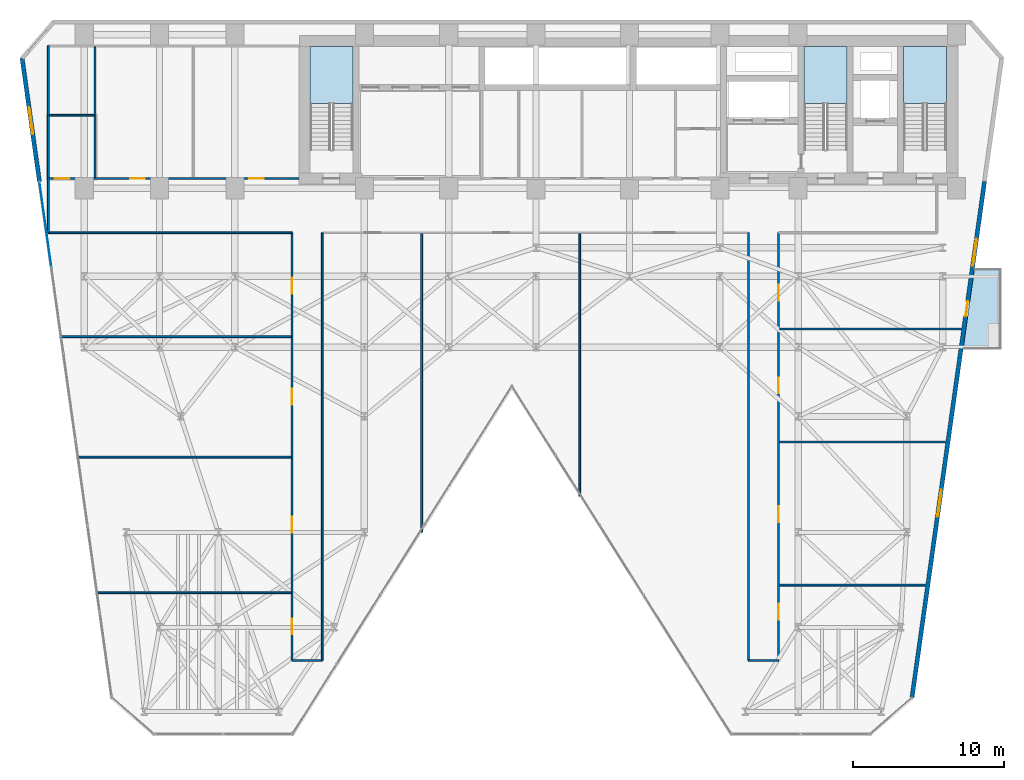
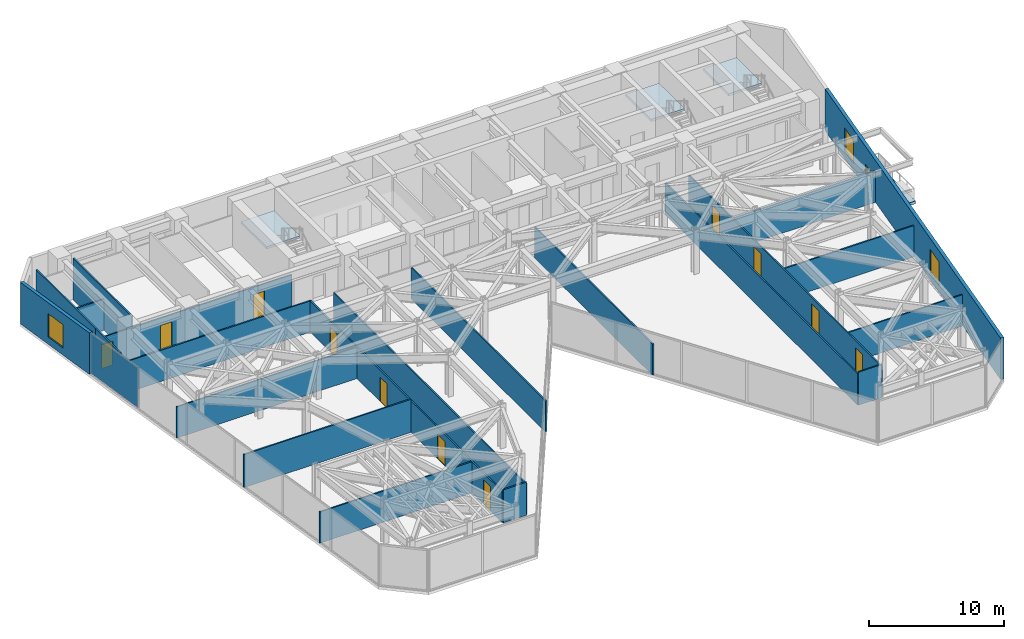
# One storey, part 19 of 24: 22 walls, 12 doors, 4 slabs, 3 windows, 1 plate, 15 openings, 4 elements without a shape of their own.
"""IFC4 building model written with IfcOpenShell, lengths in metres."""

from ifc_helpers import new_model, si_unit, direction, frame, frame_2d, origin, origin_2d, place, context, subcontext, project, spatial, polyline, rectangle, outline, extrude, material, layer, layer_set, type_object, element, fill, aggregate, save


model = new_model("IFC4")

# Units and contexts
model_context = context("Model", 3, precision=1e-05, world=origin(), true_north=direction((0.0, 1.0)))
body_context = subcontext(model_context, "Body", "Model", "MODEL_VIEW")
ifc_project = project(units=[si_unit("LENGTHUNIT", "METRE"), si_unit("AREAUNIT", "SQUARE_METRE"), si_unit("VOLUMEUNIT", "CUBIC_METRE"), si_unit("PLANEANGLEUNIT", "RADIAN"), si_unit("MASSUNIT", "GRAM", prefix="KILO")], contexts=[model_context])

# Site, building, storey
site_placement = place(None, origin())
site = spatial("IfcSite", under=ifc_project, at=site_placement, CompositionType="ELEMENT")
building_placement = place(site_placement, origin())
building = spatial("IfcBuilding", under=site, at=building_placement, Name="Kravanh Interchange Tower", CompositionType="ELEMENT")
storey_placement = place(building_placement, frame((0.0, 0.0, 77.5)))
storey = spatial("IfcBuildingStorey", under=building, at=storey_placement, Name="L18", CompositionType="ELEMENT", Elevation=77.5)

# Stair, slab
ifc_material_1 = material(Name="Concrete C50/60", Category="concrete")
stair_type = type_object("IfcStairType", Name="Core Fire Exit Dogleg Stair Concrete C50/60", PredefinedType="HALF_TURN_STAIR", material=ifc_material_1)
stair_1_placement = place(storey_placement, origin())
stair_1 = element("IfcStair", 1, at=stair_1_placement, inside=storey, type_object=stair_type, Name="L18 Exit Stair ST1", PredefinedType="HALF_TURN_STAIR")
ifc_material_2 = material(Name="Concrete C50/60", Category="concrete")
ifc_layer_1 = layer(ifc_material_2, 0.199951171875)
ifc_layer_set_1 = layer_set([ifc_layer_1], Name="Concrete C50/60 Stair Half-Landing Slab 200mm")
slab_type_1 = type_object("IfcSlabType", Name="Concrete C50/60 Stair Half-Landing Slab 200mm", PredefinedType="LANDING", material=ifc_layer_set_1)
slab_1_placement = place(storey_placement, frame((0.0, 0.0, 1.800048828125)))
slab_1 = element("IfcSlab", 2, at=slab_1_placement, type_object=slab_type_1, Name="ST1 landing 1", PredefinedType="LANDING", context=body_context, shape_type="SweptSolid", body=[
    extrude(outline(polyline([(65.85009765625, 42.97998046875), (65.85009765625, 46.75), (63.0, 46.75), (63.0, 42.97998046875), (65.85009765625, 42.97998046875)])), origin(), (0.0, 0.0, 1.0), 0.199951171875),
])
aggregate(stair_1, [slab_1])

stair_2_placement = place(storey_placement, origin())
stair_2 = element("IfcStair", 3, at=stair_2_placement, inside=storey, type_object=stair_type, Name="L18 Exit Stair ST2", PredefinedType="HALF_TURN_STAIR")
slab_2_placement = place(storey_placement, frame((0.0, 0.0, 1.800048828125)))
slab_2 = element("IfcSlab", 4, at=slab_2_placement, type_object=slab_type_1, Name="ST2 landing 1", PredefinedType="LANDING", context=body_context, shape_type="SweptSolid", body=[
    extrude(outline(polyline([(59.25, 42.97998046875), (59.25, 46.75), (56.39990234375, 46.75), (56.39990234375, 42.97998046875), (59.25, 42.97998046875)])), origin(), (0.0, 0.0, 1.0), 0.199951171875),
])
aggregate(stair_2, [slab_2])

stair_3_placement = place(storey_placement, origin())
stair_3 = element("IfcStair", 5, at=stair_3_placement, inside=storey, type_object=stair_type, Name="L18 Exit Stair ST3", PredefinedType="HALF_TURN_STAIR")
slab_3_placement = place(storey_placement, frame((0.0, 0.0, 1.800048828125)))
slab_3 = element("IfcSlab", 6, at=slab_3_placement, type_object=slab_type_1, Name="ST3 landing 1", PredefinedType="LANDING", context=body_context, shape_type="SweptSolid", body=[
    extrude(outline(polyline([(26.449951171875, 42.97998046875), (26.449951171875, 46.75), (23.60009765625, 46.75), (23.60009765625, 42.97998046875), (26.449951171875, 42.97998046875)])), origin(), (0.0, 0.0, 1.0), 0.199951171875),
])
aggregate(stair_3, [slab_3])

# Slab
ifc_material_3 = material(Name="Concrete C50/60", Category="concrete")
ifc_layer_2 = layer(ifc_material_3, 0.199951171875)
ifc_layer_set_2 = layer_set([ifc_layer_2], Name="Planted Tree Balcony Slab Concrete C50/60 200mm")
slab_type_2 = type_object("IfcSlabType", Name="Planted Tree Balcony Slab Concrete C50/60 200mm", PredefinedType="USERDEFINED", material=ifc_layer_set_2)
slab_4_placement = place(storey_placement, frame((0.0, 0.0, -0.260009765625)))
element("IfcSlab", 7, at=slab_4_placement, inside=storey, type_object=slab_type_2, Name="L18 East Tree Planter Balcony Slab", ObjectType="BALCONY", PredefinedType="USERDEFINED", context=body_context, shape_type="SweptSolid", body=[
    extrude(outline(polyline([(69.489990234375, 32.030029296875), (69.489990234375, 26.6298828125), (66.94140625, 26.6298828125), (67.700439453125, 32.030029296875), (69.489990234375, 32.030029296875)])), origin(), (0.0, 0.0, 1.0), 0.260009765625),
])

# Curtain wall, plate
ifc_material_4 = material(Name="Anodised Bronze Aluminium", Category="aluminium")
ifc_layer_3 = layer(ifc_material_4, 0.179931640625)
ifc_layer_set_3 = layer_set([ifc_layer_3], Name="Unitised Curtain Wall System CW-Z1 Lower Office")
curtain_wall_type = type_object("IfcCurtainWallType", Name="Unitised Curtain Wall System CW-Z1 Lower Office", PredefinedType="NOTDEFINED", material=ifc_layer_set_3)
curtain_wall_placement = place(storey_placement, origin())
curtain_wall = element("IfcCurtainWall", 8, at=curtain_wall_placement, inside=storey, type_object=curtain_wall_type, Name="L18 Unitised Curtain Wall CW-L18-01", PredefinedType="NOTDEFINED")
ifc_material_5 = material(Name="Low-E Laminated Architectural Glass", Category="glass")
ifc_layer_4 = layer(ifc_material_5, 0.028076171875)
ifc_layer_set_4 = layer_set([ifc_layer_4], Name="Solar-Control Double Glazing 28mm")
plate_type = type_object("IfcPlateType", Name="Solar-Control Double Glazing 28mm", PredefinedType="CURTAIN_PANEL", material=ifc_layer_set_4)
plate_placement = place(storey_placement, frame((6.028564453125, 34.927490234375, 0.06005859375), z_axis=(0.0, 0.0, 1.0), x_axis=(-0.139176538065, 0.990267585682, 0.0)))
plate = element("IfcPlate", 9, at=plate_placement, type_object=plate_type, Name="CW-Z1 panel 6.1", PredefinedType="CURTAIN_PANEL", context=body_context, shape_type="SweptSolid", body=[
    extrude(rectangle(XDim=5.66162109375, YDim=0.028076171875, at=origin_2d()), origin(), (0.0, 0.0, 1.0), 3.6201171875),
])
aggregate(curtain_wall, [plate])

# Wall, openings, doors
ifc_material_6 = material(Name="Double Acoustic Gypsum Board and Mineral Wool")
ifc_layer_5 = layer(ifc_material_6, 0.1201171875)
ifc_layer_set_5 = layer_set([ifc_layer_5], Name="Acoustic Office Drywall Partition 120mm")
wall_type_1 = type_object("IfcWallType", Name="Acoustic Office Drywall Partition 120mm", PredefinedType="PARTITIONING", material=ifc_layer_set_5)
wall_1_placement = place(storey_placement, frame((6.219970703125, 38.0, 0.0), z_axis=(0.0, 0.0, 1.0), x_axis=(1.0, 0.0, 0.0)))
wall_1 = element("IfcWall", 10, at=wall_1_placement, inside=storey, type_object=wall_type_1, Name="L18 Restroom Corridor Wall 9", PredefinedType="PARTITIONING", context=body_context, shape_type="SweptSolid", body=[
    extrude(rectangle(XDim=16.630126953125, YDim=0.1201171875, at=frame_2d((8.31494140625, 0.0))), origin(), (0.0, 0.0, 1.0), 2.81298828125),
])
opening_1_placement = place(wall_1_placement, frame((0.424072265625, 0.0, 0.0)))
opening_1 = element("IfcOpeningElement", 11, at=opening_1_placement, cuts=wall_1, Name="Opening D-95", PredefinedType="OPENING", context=body_context, shape_type="SweptSolid", body=[
    extrude(rectangle(XDim=0.949951171875, YDim=2.14990234375, at=frame_2d((0.47509765625, 1.074951171875))), frame((0.0, 0.070068359375, 0.0), z_axis=(0.0, -1.0, 0.0), x_axis=(1.0, 0.0, 0.0)), (0.0, 0.0, 1.0), 0.14013671875),
])
opening_2_placement = place(wall_1_placement, frame((5.444091796875, 0.0, 0.0)))
opening_2 = element("IfcOpeningElement", 12, at=opening_2_placement, cuts=wall_1, Name="Opening D-95", PredefinedType="OPENING", context=body_context, shape_type="SweptSolid", body=[
    extrude(rectangle(XDim=0.949951171875, YDim=2.14990234375, at=frame_2d((0.47509765625, 1.074951171875))), frame((0.0, 0.070068359375, 0.0), z_axis=(0.0, -1.0, 0.0), x_axis=(1.0, 0.0, 0.0)), (0.0, 0.0, 1.0), 0.14013671875),
])
opening_3_placement = place(wall_1_placement, frame((13.343994140625, 0.0, 0.0)))
opening_3 = element("IfcOpeningElement", 13, at=opening_3_placement, cuts=wall_1, Name="Opening D-95", PredefinedType="OPENING", context=body_context, shape_type="SweptSolid", body=[
    extrude(rectangle(XDim=0.949951171875, YDim=2.14990234375, at=frame_2d((0.47509765625, 1.074951171875))), frame((0.0, 0.070068359375, 0.0), z_axis=(0.0, -1.0, 0.0), x_axis=(1.0, 0.0, 0.0)), (0.0, 0.0, 1.0), 0.14013671875),
])
ifc_material_7 = material(Name="Laminate Solid-Core Timber", Category="wood")
door_type_1 = type_object("IfcDoorType", Name="Accessible Restroom Door 950x2150", OperationType="NOTDEFINED", PredefinedType="DOOR", material=ifc_material_7)
door_1_placement = place(opening_1_placement, origin())
door_1 = element("IfcDoor", 14, at=door_1_placement, inside=storey, type_object=door_type_1, Name="L18 Accessible WC Door", OperationType="SINGLE_SWING_RIGHT", OverallHeight=2.14990234375, OverallWidth=0.949951171875, PredefinedType="DOOR", context=body_context, shape_type="SweptSolid", body=[
    extrude(rectangle(XDim=0.949951171875, YDim=2.14990234375, at=frame_2d((0.47509765625, 1.074951171875))), frame((0.0, 0.02490234375, 0.0), z_axis=(0.0, -1.0, 0.0), x_axis=(1.0, 0.0, 0.0)), (0.0, 0.0, 1.0), 0.050048828125),
])
fill(opening_1, door_1)
door_2_placement = place(opening_2_placement, origin())
door_2 = element("IfcDoor", 15, at=door_2_placement, inside=storey, type_object=door_type_1, Name="L18 Female WC Door", OperationType="SINGLE_SWING_LEFT", OverallHeight=2.14990234375, OverallWidth=0.949951171875, PredefinedType="DOOR", context=body_context, shape_type="SweptSolid", body=[
    extrude(rectangle(XDim=0.949951171875, YDim=2.14990234375, at=frame_2d((0.47509765625, 1.074951171875))), frame((0.0, 0.02490234375, 0.0), z_axis=(0.0, -1.0, 0.0), x_axis=(1.0, 0.0, 0.0)), (0.0, 0.0, 1.0), 0.050048828125),
])
fill(opening_2, door_2)
door_3_placement = place(opening_3_placement, origin())
door_3 = element("IfcDoor", 16, at=door_3_placement, inside=storey, type_object=door_type_1, Name="L18 Male WC Door", OperationType="SINGLE_SWING_RIGHT", OverallHeight=2.14990234375, OverallWidth=0.949951171875, PredefinedType="DOOR", context=body_context, shape_type="SweptSolid", body=[
    extrude(rectangle(XDim=0.949951171875, YDim=2.14990234375, at=frame_2d((0.47509765625, 1.074951171875))), frame((0.0, 0.02490234375, 0.0), z_axis=(0.0, -1.0, 0.0), x_axis=(1.0, 0.0, 0.0)), (0.0, 0.0, 1.0), 0.050048828125),
])
fill(opening_3, door_3)

# Walls
wall_2_placement = place(storey_placement, frame((6.219970703125, 38.0, 0.0), z_axis=(0.0, 0.0, 1.0), x_axis=(0.0, 1.0, 0.0)))
element("IfcWall", 17, at=wall_2_placement, inside=storey, type_object=wall_type_1, Name="L18 Restroom West Enclosure 10", PredefinedType="PARTITIONING", context=body_context, shape_type="SweptSolid", body=[
    extrude(rectangle(XDim=8.800048828125, YDim=0.1201171875, at=frame_2d((4.39990234375, 0.0))), origin(), (0.0, 0.0, 1.0), 3.739990234375),
])
wall_3_placement = place(storey_placement, frame((9.320068359375, 38.068115234375, 0.0), z_axis=(0.0, 0.0, 1.0), x_axis=(0.0, 1.0, 0.0)))
element("IfcWall", 18, at=wall_3_placement, inside=storey, type_object=wall_type_1, Name="L18 Interior Partition 12", PredefinedType="PARTITIONING", context=body_context, shape_type="SweptSolid", body=[
    extrude(rectangle(XDim=8.663818359375, YDim=0.1201171875, at=frame_2d((4.33203125, 0.0))), origin(), (0.0, 0.0, 1.0), 3.739990234375),
])
wall_4_placement = place(storey_placement, frame((6.2880859375, 42.199951171875, 0.0), z_axis=(0.0, 0.0, 1.0), x_axis=(1.0, 0.0, 0.0)))
element("IfcWall", 19, at=wall_4_placement, inside=storey, type_object=wall_type_1, Name="L18 Interior Partition 14", PredefinedType="PARTITIONING", context=body_context, shape_type="SweptSolid", body=[
    extrude(rectangle(XDim=2.9638671875, YDim=0.1201171875, at=frame_2d((1.48193359375, 0.0))), origin(), (0.0, 0.0, 1.0), 2.81298828125),
])
wall_5_placement = place(storey_placement, frame((6.219970703125, 34.39990234375, 0.0), z_axis=(0.0, 0.0, 1.0), x_axis=(1.0, 0.0, 0.0)))
element("IfcWall", 20, at=wall_5_placement, inside=storey, type_object=wall_type_1, Name="L18 Interior Partition 15", PredefinedType="PARTITIONING", context=body_context, shape_type="SweptSolid", body=[
    extrude(rectangle(XDim=16.179931640625, YDim=0.1201171875, at=frame_2d((8.08984375, 0.0))), origin(), (0.0, 0.0, 1.0), 2.81298828125),
])
wall_6_placement = place(storey_placement, frame((6.219970703125, 34.39990234375, 0.0), z_axis=(0.0, 0.0, 1.0), x_axis=(0.0, 1.0, 0.0)))
element("IfcWall", 21, at=wall_6_placement, inside=storey, type_object=wall_type_1, Name="L18 Interior Partition 18", PredefinedType="PARTITIONING", context=body_context, shape_type="SweptSolid", body=[
    extrude(rectangle(XDim=3.650146484375, YDim=0.1201171875, at=frame_2d((1.8251953125, 0.0))), origin(), (0.0, 0.0, 1.0), 3.739990234375),
])

# Wall, openings, doors
wall_7_placement = place(storey_placement, frame((22.39990234375, 6.0, 0.0), z_axis=(0.0, 0.0, 1.0), x_axis=(0.0, 1.0, 0.0)))
wall_7 = element("IfcWall", 22, at=wall_7_placement, inside=storey, type_object=wall_type_1, Name="L18 Interior Partition 20", PredefinedType="PARTITIONING", context=body_context, shape_type="SweptSolid", body=[
    extrude(rectangle(XDim=28.39990234375, YDim=0.1201171875, at=frame_2d((14.199951171875, 0.0))), origin(), (0.0, 0.0, 1.0), 2.81298828125),
])
opening_4_placement = place(wall_7_placement, frame((1.72509765625, 0.0, 0.0)))
opening_4 = element("IfcOpeningElement", 23, at=opening_4_placement, cuts=wall_7, Name="Opening D-105", PredefinedType="OPENING", context=body_context, shape_type="SweptSolid", body=[
    extrude(rectangle(XDim=1.050048828125, YDim=2.199951171875, at=frame_2d((0.52490234375, 1.10009765625))), frame((0.0, 0.070068359375, 0.0), z_axis=(0.0, -1.0, 0.0), x_axis=(1.0, 0.0, 0.0)), (0.0, 0.0, 1.0), 0.14013671875),
])
opening_5_placement = place(wall_7_placement, frame((8.47509765625, 0.0, 0.0)))
opening_5 = element("IfcOpeningElement", 24, at=opening_5_placement, cuts=wall_7, Name="Opening D-105", PredefinedType="OPENING", context=body_context, shape_type="SweptSolid", body=[
    extrude(rectangle(XDim=1.050048828125, YDim=2.199951171875, at=frame_2d((0.52490234375, 1.10009765625))), frame((0.0, 0.070068359375, 0.0), z_axis=(0.0, -1.0, 0.0), x_axis=(1.0, 0.0, 0.0)), (0.0, 0.0, 1.0), 0.14013671875),
])
opening_6_placement = place(wall_7_placement, frame((16.97509765625, 0.0, 0.0)))
opening_6 = element("IfcOpeningElement", 25, at=opening_6_placement, cuts=wall_7, Name="Opening D-105", PredefinedType="OPENING", context=body_context, shape_type="SweptSolid", body=[
    extrude(rectangle(XDim=1.050048828125, YDim=2.199951171875, at=frame_2d((0.52490234375, 1.10009765625))), frame((0.0, 0.070068359375, 0.0), z_axis=(0.0, -1.0, 0.0), x_axis=(1.0, 0.0, 0.0)), (0.0, 0.0, 1.0), 0.14013671875),
])
opening_7_placement = place(wall_7_placement, frame((24.359375, 0.0, 0.0)))
opening_7 = element("IfcOpeningElement", 26, at=opening_7_placement, cuts=wall_7, Name="Opening D-105", PredefinedType="OPENING", context=body_context, shape_type="SweptSolid", body=[
    extrude(rectangle(XDim=1.050048828125, YDim=2.199951171875, at=frame_2d((0.52490234375, 1.10009765625))), frame((0.0, 0.070068359375, 0.0), z_axis=(0.0, -1.0, 0.0), x_axis=(1.0, 0.0, 0.0)), (0.0, 0.0, 1.0), 0.14013671875),
])
ifc_material_8 = material(Name="Acoustic Glazed Oak and Aluminium", Category="aluminium")
door_type_2 = type_object("IfcDoorType", Name="Office Workplace Door 1050x2200", OperationType="NOTDEFINED", PredefinedType="DOOR", material=ifc_material_8)
door_4_placement = place(opening_4_placement, origin())
door_4 = element("IfcDoor", 27, at=door_4_placement, inside=storey, type_object=door_type_2, Name="L18 Venture Office A Door", OperationType="SINGLE_SWING_LEFT", OverallHeight=2.199951171875, OverallWidth=1.050048828125, PredefinedType="DOOR", context=body_context, shape_type="SweptSolid", body=[
    extrude(rectangle(XDim=1.050048828125, YDim=2.199951171875, at=frame_2d((0.52490234375, 1.10009765625))), frame((0.0, 0.02490234375, 0.0), z_axis=(0.0, -1.0, 0.0), x_axis=(1.0, 0.0, 0.0)), (0.0, 0.0, 1.0), 0.050048828125),
])
fill(opening_4, door_4)
door_5_placement = place(opening_5_placement, origin())
door_5 = element("IfcDoor", 28, at=door_5_placement, inside=storey, type_object=door_type_2, Name="L18 West Balcony Lounge Door", OperationType="SINGLE_SWING_RIGHT", OverallHeight=2.199951171875, OverallWidth=1.050048828125, PredefinedType="DOOR", context=body_context, shape_type="SweptSolid", body=[
    extrude(rectangle(XDim=1.050048828125, YDim=2.199951171875, at=frame_2d((0.52490234375, 1.10009765625))), frame((0.0, 0.02490234375, 0.0), z_axis=(0.0, -1.0, 0.0), x_axis=(1.0, 0.0, 0.0)), (0.0, 0.0, 1.0), 0.050048828125),
])
fill(opening_5, door_5)
door_6_placement = place(opening_6_placement, origin())
door_6 = element("IfcDoor", 29, at=door_6_placement, inside=storey, type_object=door_type_2, Name="L18 Quantitative Study A Door", OperationType="SINGLE_SWING_LEFT", OverallHeight=2.199951171875, OverallWidth=1.050048828125, PredefinedType="DOOR", context=body_context, shape_type="SweptSolid", body=[
    extrude(rectangle(XDim=1.050048828125, YDim=2.199951171875, at=frame_2d((0.52490234375, 1.10009765625))), frame((0.0, 0.02490234375, 0.0), z_axis=(0.0, -1.0, 0.0), x_axis=(1.0, 0.0, 0.0)), (0.0, 0.0, 1.0), 0.050048828125),
])
fill(opening_6, door_6)
door_7_placement = place(opening_7_placement, origin())
door_7 = element("IfcDoor", 30, at=door_7_placement, inside=storey, type_object=door_type_2, Name="L18 Quantitative Study B Door", OperationType="SINGLE_SWING_RIGHT", OverallHeight=2.199951171875, OverallWidth=1.050048828125, PredefinedType="DOOR", context=body_context, shape_type="SweptSolid", body=[
    extrude(rectangle(XDim=1.050048828125, YDim=2.199951171875, at=frame_2d((0.52490234375, 1.10009765625))), frame((0.0, 0.02490234375, 0.0), z_axis=(0.0, -1.0, 0.0), x_axis=(1.0, 0.0, 0.0)), (0.0, 0.0, 1.0), 0.050048828125),
])
fill(opening_7, door_7)

# Walls
wall_8_placement = place(storey_placement, frame((24.39990234375, 6.0, 0.0), z_axis=(0.0, 0.0, 1.0), x_axis=(0.0, 1.0, 0.0)))
element("IfcWall", 31, at=wall_8_placement, inside=storey, type_object=wall_type_1, Name="L18 Interior Partition 21", PredefinedType="PARTITIONING", context=body_context, shape_type="SweptSolid", body=[
    extrude(rectangle(XDim=28.39990234375, YDim=0.1201171875, at=frame_2d((14.199951171875, 0.0))), origin(), (0.0, 0.0, 1.0), 2.81298828125),
])
wall_9_placement = place(storey_placement, frame((22.39990234375, 6.0, 0.0), z_axis=(0.0, 0.0, 1.0), x_axis=(1.0, 0.0, 0.0)))
element("IfcWall", 32, at=wall_9_placement, inside=storey, type_object=wall_type_1, Name="L18 Interior Partition 22", PredefinedType="PARTITIONING", context=body_context, shape_type="SweptSolid", body=[
    extrude(rectangle(XDim=2.0, YDim=0.1201171875, at=frame_2d((1.0, 0.0))), origin(), (0.0, 0.0, 1.0), 2.97802734375),
])
wall_10_placement = place(storey_placement, frame((52.699951171875, 6.0, 0.0), z_axis=(0.0, 0.0, 1.0), x_axis=(0.0, 1.0, 0.0)))
element("IfcWall", 33, at=wall_10_placement, inside=storey, type_object=wall_type_1, Name="L18 Interior Partition 23", PredefinedType="PARTITIONING", context=body_context, shape_type="SweptSolid", body=[
    extrude(rectangle(XDim=28.39990234375, YDim=0.1201171875, at=frame_2d((14.199951171875, 0.0))), origin(), (0.0, 0.0, 1.0), 2.81298828125),
])

# Wall, openings, doors
wall_11_placement = place(storey_placement, frame((54.699951171875, 6.0, 0.0), z_axis=(0.0, 0.0, 1.0), x_axis=(0.0, 1.0, 0.0)))
wall_11 = element("IfcWall", 34, at=wall_11_placement, inside=storey, type_object=wall_type_1, Name="L18 Interior Partition 24", PredefinedType="PARTITIONING", context=body_context, shape_type="SweptSolid", body=[
    extrude(rectangle(XDim=28.39990234375, YDim=0.1201171875, at=frame_2d((14.199951171875, 0.0))), origin(), (0.0, 0.0, 1.0), 2.81298828125),
])
opening_8_placement = place(wall_11_placement, frame((2.709228515625, 0.0, 0.0)))
opening_8 = element("IfcOpeningElement", 35, at=opening_8_placement, cuts=wall_11, Name="Opening D-105", PredefinedType="OPENING", context=body_context, shape_type="SweptSolid", body=[
    extrude(rectangle(XDim=1.050048828125, YDim=2.199951171875, at=frame_2d((0.52490234375, 1.10009765625))), frame((0.0, 0.070068359375, 0.0), z_axis=(0.0, -1.0, 0.0), x_axis=(1.0, 0.0, 0.0)), (0.0, 0.0, 1.0), 0.14013671875),
])
opening_9_placement = place(wall_11_placement, frame((9.18505859375, 0.0, 0.0)))
opening_9 = element("IfcOpeningElement", 36, at=opening_9_placement, cuts=wall_11, Name="Opening D-105", PredefinedType="OPENING", context=body_context, shape_type="SweptSolid", body=[
    extrude(rectangle(XDim=1.050048828125, YDim=2.199951171875, at=frame_2d((0.52490234375, 1.10009765625))), frame((0.0, 0.070068359375, 0.0), z_axis=(0.0, -1.0, 0.0), x_axis=(1.0, 0.0, 0.0)), (0.0, 0.0, 1.0), 0.14013671875),
])
opening_10_placement = place(wall_11_placement, frame((17.72509765625, 0.0, 0.0)))
opening_10 = element("IfcOpeningElement", 37, at=opening_10_placement, cuts=wall_11, Name="Opening D-105", PredefinedType="OPENING", context=body_context, shape_type="SweptSolid", body=[
    extrude(rectangle(XDim=1.050048828125, YDim=2.199951171875, at=frame_2d((0.52490234375, 1.10009765625))), frame((0.0, 0.070068359375, 0.0), z_axis=(0.0, -1.0, 0.0), x_axis=(1.0, 0.0, 0.0)), (0.0, 0.0, 1.0), 0.14013671875),
])
opening_11_placement = place(wall_11_placement, frame((23.880615234375, 0.0, 0.0)))
opening_11 = element("IfcOpeningElement", 38, at=opening_11_placement, cuts=wall_11, Name="Opening D-105", PredefinedType="OPENING", context=body_context, shape_type="SweptSolid", body=[
    extrude(rectangle(XDim=1.050048828125, YDim=2.199951171875, at=frame_2d((0.52490234375, 1.10009765625))), frame((0.0, 0.070068359375, 0.0), z_axis=(0.0, -1.0, 0.0), x_axis=(1.0, 0.0, 0.0)), (0.0, 0.0, 1.0), 0.14013671875),
])
door_8_placement = place(opening_8_placement, origin())
door_8 = element("IfcDoor", 39, at=door_8_placement, inside=storey, type_object=door_type_2, Name="L18 Founder Lounge Door", OperationType="SINGLE_SWING_LEFT", OverallHeight=2.199951171875, OverallWidth=1.050048828125, PredefinedType="DOOR", context=body_context, shape_type="SweptSolid", body=[
    extrude(rectangle(XDim=1.050048828125, YDim=2.199951171875, at=frame_2d((0.52490234375, 1.10009765625))), frame((0.0, 0.02490234375, 0.0), z_axis=(0.0, -1.0, 0.0), x_axis=(1.0, 0.0, 0.0)), (0.0, 0.0, 1.0), 0.050048828125),
])
fill(opening_8, door_8)
door_9_placement = place(opening_9_placement, origin())
door_9 = element("IfcDoor", 40, at=door_9_placement, inside=storey, type_object=door_type_2, Name="L18 East Partner Office Door", OperationType="SINGLE_SWING_RIGHT", OverallHeight=2.199951171875, OverallWidth=1.050048828125, PredefinedType="DOOR", context=body_context, shape_type="SweptSolid", body=[
    extrude(rectangle(XDim=1.050048828125, YDim=2.199951171875, at=frame_2d((0.52490234375, 1.10009765625))), frame((0.0, 0.02490234375, 0.0), z_axis=(0.0, -1.0, 0.0), x_axis=(1.0, 0.0, 0.0)), (0.0, 0.0, 1.0), 0.050048828125),
])
fill(opening_9, door_9)
door_10_placement = place(opening_10_placement, origin())
door_10 = element("IfcDoor", 41, at=door_10_placement, inside=storey, type_object=door_type_2, Name="L18 East Balcony Office Door", OperationType="SINGLE_SWING_LEFT", OverallHeight=2.199951171875, OverallWidth=1.050048828125, PredefinedType="DOOR", context=body_context, shape_type="SweptSolid", body=[
    extrude(rectangle(XDim=1.050048828125, YDim=2.199951171875, at=frame_2d((0.52490234375, 1.10009765625))), frame((0.0, 0.02490234375, 0.0), z_axis=(0.0, -1.0, 0.0), x_axis=(1.0, 0.0, 0.0)), (0.0, 0.0, 1.0), 0.050048828125),
])
fill(opening_10, door_10)
door_11_placement = place(opening_11_placement, origin())
door_11 = element("IfcDoor", 42, at=door_11_placement, inside=storey, type_object=door_type_2, Name="L18 Design Library Study Door", OperationType="SINGLE_SWING_RIGHT", OverallHeight=2.199951171875, OverallWidth=1.050048828125, PredefinedType="DOOR", context=body_context, shape_type="SweptSolid", body=[
    extrude(rectangle(XDim=1.050048828125, YDim=2.199951171875, at=frame_2d((0.52490234375, 1.10009765625))), frame((0.0, 0.02490234375, 0.0), z_axis=(0.0, -1.0, 0.0), x_axis=(1.0, 0.0, 0.0)), (0.0, 0.0, 1.0), 0.050048828125),
])
fill(opening_11, door_11)

# Walls
wall_12_placement = place(storey_placement, frame((52.699951171875, 6.0, 0.0), z_axis=(0.0, 0.0, 1.0), x_axis=(1.0, 0.0, 0.0)))
element("IfcWall", 43, at=wall_12_placement, inside=storey, type_object=wall_type_1, Name="L18 Interior Partition 25", PredefinedType="PARTITIONING", context=body_context, shape_type="SweptSolid", body=[
    extrude(rectangle(XDim=2.0, YDim=0.1201171875, at=frame_2d((1.0, 0.0))), origin(), (0.0, 0.0, 1.0), 2.97802734375),
])
wall_13_placement = place(storey_placement, frame((9.355712890625, 10.5, 0.0), z_axis=(0.0, 0.0, 1.0), x_axis=(1.0, 0.0, 0.0)))
element("IfcWall", 44, at=wall_13_placement, inside=storey, type_object=wall_type_1, Name="L18 Interior Partition 26", PredefinedType="PARTITIONING", context=body_context, shape_type="SweptSolid", body=[
    extrude(rectangle(XDim=12.976318359375, YDim=0.1201171875, at=frame_2d((6.48828125, 0.0))), origin(), (0.0, 0.0, 1.0), 2.81298828125),
])
wall_14_placement = place(storey_placement, frame((8.0908203125, 19.5, 0.0), z_axis=(0.0, 0.0, 1.0), x_axis=(1.0, 0.0, 0.0)))
element("IfcWall", 45, at=wall_14_placement, inside=storey, type_object=wall_type_1, Name="L18 Interior Partition 27", PredefinedType="PARTITIONING", context=body_context, shape_type="SweptSolid", body=[
    extrude(rectangle(XDim=14.2412109375, YDim=0.1201171875, at=frame_2d((7.12060546875, 0.0))), origin(), (0.0, 0.0, 1.0), 2.97802734375),
])
wall_15_placement = place(storey_placement, frame((6.966552734375, 27.5, 0.0), z_axis=(0.0, 0.0, 1.0), x_axis=(1.0, 0.0, 0.0)))
element("IfcWall", 46, at=wall_15_placement, inside=storey, type_object=wall_type_1, Name="L18 Interior Partition 28", PredefinedType="PARTITIONING", context=body_context, shape_type="SweptSolid", body=[
    extrude(rectangle(XDim=15.365478515625, YDim=0.1201171875, at=frame_2d((7.6826171875, 0.0))), origin(), (0.0, 0.0, 1.0), 2.81298828125),
])
wall_16_placement = place(storey_placement, frame((54.76806640625, 11.0, 0.0), z_axis=(0.0, 0.0, 1.0), x_axis=(1.0, 0.0, 0.0)))
element("IfcWall", 47, at=wall_16_placement, inside=storey, type_object=wall_type_1, Name="L18 Interior Partition 29", PredefinedType="PARTITIONING", context=body_context, shape_type="SweptSolid", body=[
    extrude(rectangle(XDim=9.673828125, YDim=0.1201171875, at=frame_2d((4.8369140625, 0.0))), origin(), (0.0, 0.0, 1.0), 2.81298828125),
])
wall_17_placement = place(storey_placement, frame((54.76806640625, 20.5, 0.0), z_axis=(0.0, 0.0, 1.0), x_axis=(1.0, 0.0, 0.0)))
element("IfcWall", 48, at=wall_17_placement, inside=storey, type_object=wall_type_1, Name="L18 Interior Partition 30", PredefinedType="PARTITIONING", context=body_context, shape_type="SweptSolid", body=[
    extrude(rectangle(XDim=11.009033203125, YDim=0.1201171875, at=frame_2d((5.50439453125, 0.0))), origin(), (0.0, 0.0, 1.0), 2.81298828125),
])
wall_18_placement = place(storey_placement, frame((54.76806640625, 28.0, 0.0), z_axis=(0.0, 0.0, 1.0), x_axis=(1.0, 0.0, 0.0)))
element("IfcWall", 49, at=wall_18_placement, inside=storey, type_object=wall_type_1, Name="L18 Interior Partition 31", PredefinedType="PARTITIONING", context=body_context, shape_type="SweptSolid", body=[
    extrude(rectangle(XDim=12.06298828125, YDim=0.1201171875, at=frame_2d((6.031494140625, 0.0))), origin(), (0.0, 0.0, 1.0), 2.81298828125),
])
wall_19_placement = place(storey_placement, frame((31.0, 14.510986328125, 0.0), z_axis=(0.0, 0.0, 1.0), x_axis=(0.0, 1.0, 0.0)))
element("IfcWall", 50, at=wall_19_placement, inside=storey, type_object=wall_type_1, Name="L18 Interior Partition 32", PredefinedType="PARTITIONING", context=body_context, shape_type="SweptSolid", body=[
    extrude(rectangle(XDim=19.821044921875, YDim=0.1201171875, at=frame_2d((9.91064453125, 0.0))), origin(), (0.0, 0.0, 1.0), 2.81298828125),
])
wall_20_placement = place(storey_placement, frame((41.5, 16.89013671875, 0.0), z_axis=(0.0, 0.0, 1.0), x_axis=(0.0, 1.0, 0.0)))
element("IfcWall", 51, at=wall_20_placement, inside=storey, type_object=wall_type_1, Name="L18 Interior Partition 33", PredefinedType="PARTITIONING", context=body_context, shape_type="SweptSolid", body=[
    extrude(rectangle(XDim=17.44189453125, YDim=0.1201171875, at=frame_2d((8.720947265625, 0.0))), origin(), (0.0, 0.0, 1.0), 2.81298828125),
])

# Wall, opening, window
ifc_material_9 = material(Name="Insulated Precast Concrete C40/50 with Bronze Cladding", Category="concrete")
ifc_layer_6 = layer(ifc_material_9, 0.280029296875)
ifc_layer_set_6 = layer_set([ifc_layer_6], Name="Exterior Insulated Concrete C40/50 Bronze Spandrel Wall 280mm")
wall_type_2 = type_object("IfcWallType", Name="Exterior Insulated Concrete C40/50 Bronze Spandrel Wall 280mm", PredefinedType="STANDARD", material=ifc_layer_set_6)
wall_21_placement = place(storey_placement, frame((5.625, 37.800048828125, 0.0), z_axis=(0.0, 0.0, 1.0), x_axis=(-0.139180172484, 0.990267074878, 0.0)))
wall_21 = element("IfcWall", 52, at=wall_21_placement, inside=storey, type_object=wall_type_2, Name="L18 Exterior Wall 1", PredefinedType="STANDARD", context=body_context, shape_type="SweptSolid", body=[
    extrude(rectangle(XDim=8.267333984375, YDim=0.280029296875, at=frame_2d((4.1337890625, 0.0))), origin(), (0.0, 0.0, 1.0), 3.739990234375),
])
opening_12_placement = place(wall_21_placement, frame((3.1728515625, 0.0, 0.64990234375)))
opening_12 = element("IfcOpeningElement", 53, at=opening_12_placement, cuts=wall_21, Name="Opening WN-180X210", PredefinedType="OPENING", context=body_context, shape_type="SweptSolid", body=[
    extrude(rectangle(XDim=1.800048828125, YDim=2.10009765625, at=frame_2d((0.89990234375, 1.050048828125))), frame((0.0, 0.14990234375, 0.0), z_axis=(0.0, -1.0, 0.0), x_axis=(1.0, 0.0, 0.0)), (0.0, 0.0, 1.0), 0.300048828125),
])
ifc_material_10 = material(Name="Thermally Broken Bronze Aluminium and Low-E Glass", Category="aluminium")
window_type = type_object("IfcWindowType", Name="Tower Pier Window 1800x2100", PartitioningType="SINGLE_PANEL", PredefinedType="WINDOW", material=ifc_material_10)
window_1_placement = place(opening_12_placement, origin())
window_1 = element("IfcWindow", 54, at=window_1_placement, inside=storey, type_object=window_type, Name="L18 Corner Window 1", OverallHeight=2.10009765625, OverallWidth=1.800048828125, PartitioningType="SINGLE_PANEL", PredefinedType="WINDOW", context=body_context, shape_type="SweptSolid", body=[
    extrude(rectangle(XDim=1.800048828125, YDim=2.10009765625, at=frame_2d((0.89990234375, 1.050048828125))), frame((0.0, 0.030029296875, 0.0), z_axis=(0.0, -1.0, 0.0), x_axis=(1.0, 0.0, 0.0)), (0.0, 0.0, 1.0), 0.06005859375),
])
fill(opening_12, window_1)

# Wall, openings, door, windows
wall_22_placement = place(storey_placement, frame((68.375, 37.800048828125, 0.0), z_axis=(0.0, 0.0, 1.0), x_axis=(-0.139174610616, -0.990267856572, 0.0)))
wall_22 = element("IfcWall", 55, at=wall_22_placement, inside=storey, type_object=wall_type_2, Name="L18 Exterior Wall 6", PredefinedType="STANDARD", context=body_context, shape_type="SweptSolid", body=[
    extrude(rectangle(XDim=34.599853515625, YDim=0.280029296875, at=frame_2d((17.2998046875, 0.0))), origin(), (0.0, 0.0, 1.0), 3.739990234375),
])
opening_13_placement = place(wall_22_placement, frame((8.036376953125, 0.0, 0.0)))
opening_13 = element("IfcOpeningElement", 56, at=opening_13_placement, cuts=wall_22, Name="Opening ED-BAL100", PredefinedType="OPENING", context=body_context, shape_type="SweptSolid", body=[
    extrude(rectangle(XDim=1.0, YDim=2.14990234375, at=frame_2d((0.5, 1.074951171875))), frame((0.0, 0.14990234375, 0.0), z_axis=(0.0, -1.0, 0.0), x_axis=(1.0, 0.0, 0.0)), (0.0, 0.0, 1.0), 0.300048828125),
])
opening_14_placement = place(wall_22_placement, frame((3.852294921875, 0.0, 0.64990234375)))
opening_14 = element("IfcOpeningElement", 57, at=opening_14_placement, cuts=wall_22, Name="Opening WN-180X210", PredefinedType="OPENING", context=body_context, shape_type="SweptSolid", body=[
    extrude(rectangle(XDim=1.800048828125, YDim=2.10009765625, at=frame_2d((0.89990234375, 1.050048828125))), frame((0.0, 0.14990234375, 0.0), z_axis=(0.0, -1.0, 0.0), x_axis=(1.0, 0.0, 0.0)), (0.0, 0.0, 1.0), 0.300048828125),
])
opening_15_placement = place(wall_22_placement, frame((20.66259765625, 0.0, 0.64990234375)))
opening_15 = element("IfcOpeningElement", 58, at=opening_15_placement, cuts=wall_22, Name="Opening WN-180X210", PredefinedType="OPENING", context=body_context, shape_type="SweptSolid", body=[
    extrude(rectangle(XDim=1.800048828125, YDim=2.10009765625, at=frame_2d((0.89990234375, 1.050048828125))), frame((0.0, 0.14990234375, 0.0), z_axis=(0.0, -1.0, 0.0), x_axis=(1.0, 0.0, 0.0)), (0.0, 0.0, 1.0), 0.300048828125),
])
ifc_material_11 = material(Name="Thermally Broken Bronze Aluminium and Laminated Glass", Category="aluminium")
door_type_3 = type_object("IfcDoorType", Name="Balcony Glazed Door 1000x2150", OperationType="NOTDEFINED", PredefinedType="DOOR", material=ifc_material_11)
door_12_placement = place(opening_13_placement, origin())
door_12 = element("IfcDoor", 59, at=door_12_placement, inside=storey, type_object=door_type_3, Name="L18 E Tree Balcony Access Door", OperationType="SINGLE_SWING_RIGHT", OverallHeight=2.14990234375, OverallWidth=1.0, PredefinedType="DOOR", context=body_context, shape_type="SweptSolid", body=[
    extrude(rectangle(XDim=1.0, YDim=2.14990234375, at=frame_2d((0.5, 1.074951171875))), frame((0.0, 0.02490234375, 0.0), z_axis=(0.0, -1.0, 0.0), x_axis=(1.0, 0.0, 0.0)), (0.0, 0.0, 1.0), 0.050048828125),
])
fill(opening_13, door_12)
window_2_placement = place(opening_14_placement, origin())
window_2 = element("IfcWindow", 60, at=window_2_placement, inside=storey, type_object=window_type, Name="L18 Facade Window 6A", OverallHeight=2.10009765625, OverallWidth=1.800048828125, PartitioningType="SINGLE_PANEL", PredefinedType="WINDOW", context=body_context, shape_type="SweptSolid", body=[
    extrude(rectangle(XDim=1.800048828125, YDim=2.10009765625, at=frame_2d((0.89990234375, 1.050048828125))), frame((0.0, 0.030029296875, 0.0), z_axis=(0.0, -1.0, 0.0), x_axis=(1.0, 0.0, 0.0)), (0.0, 0.0, 1.0), 0.06005859375),
])
fill(opening_14, window_2)
window_3_placement = place(opening_15_placement, origin())
window_3 = element("IfcWindow", 61, at=window_3_placement, inside=storey, type_object=window_type, Name="L18 Facade Window 6B", OverallHeight=2.10009765625, OverallWidth=1.800048828125, PartitioningType="SINGLE_PANEL", PredefinedType="WINDOW", context=body_context, shape_type="SweptSolid", body=[
    extrude(rectangle(XDim=1.800048828125, YDim=2.10009765625, at=frame_2d((0.89990234375, 1.050048828125))), frame((0.0, 0.030029296875, 0.0), z_axis=(0.0, -1.0, 0.0), x_axis=(1.0, 0.0, 0.0)), (0.0, 0.0, 1.0), 0.06005859375),
])
fill(opening_15, window_3)

save(model, "model.ifc")
